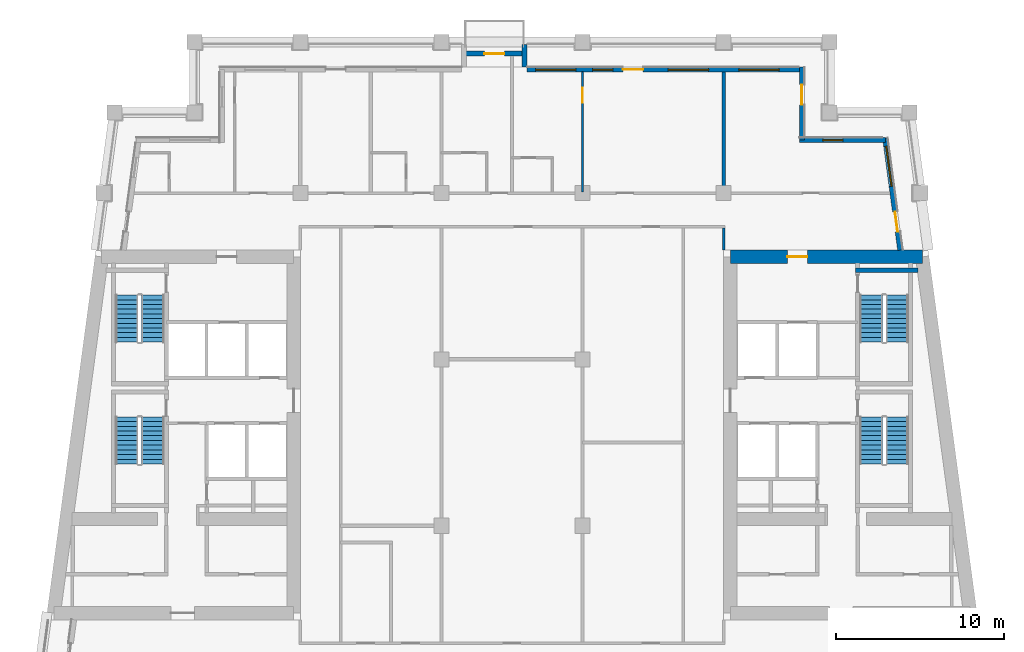
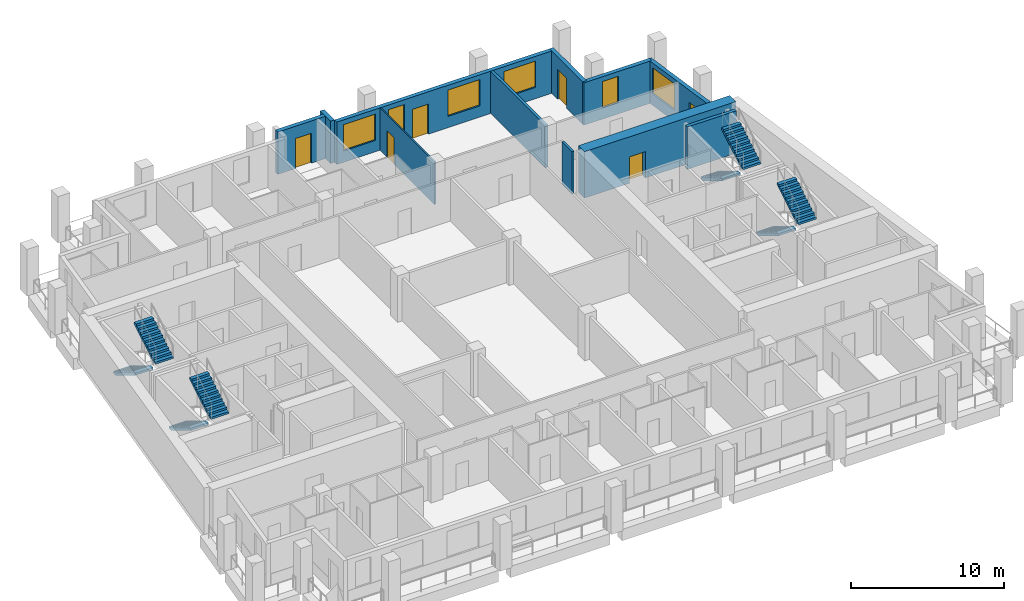
# One storey, part 7 of 12: 11 walls, 8 stair flights, 6 doors, 6 windows, 12 openings, 4 elements without a shape of their own.
"""IFC4 building model written with IfcOpenShell, lengths in metres."""

from ifc_helpers import new_model, si_unit, direction, frame, frame_2d, origin, place, context, subcontext, project, spatial, polyline, rectangle, outline, extrude, material, layer, layer_set, type_object, element, fill, aggregate, save


model = new_model("IFC4")

# Units and contexts
model_context = context("Model", 3, precision=1e-05, world=origin(), true_north=direction((0.0, 1.0)))
body_context = subcontext(model_context, "Body", "Model", "MODEL_VIEW")
ifc_project = project(units=[si_unit("LENGTHUNIT", "METRE"), si_unit("AREAUNIT", "SQUARE_METRE"), si_unit("VOLUMEUNIT", "CUBIC_METRE"), si_unit("PLANEANGLEUNIT", "RADIAN"), si_unit("MASSUNIT", "GRAM", prefix="KILO")], contexts=[model_context])

# Site, building, storey
site_placement = place(None, origin())
site = spatial("IfcSite", under=ifc_project, at=site_placement, CompositionType="ELEMENT")
building_placement = place(site_placement, origin())
building = spatial("IfcBuilding", under=site, at=building_placement, Name="Candeia Pilgrim Tower and Theatre", CompositionType="ELEMENT")
storey_placement = place(building_placement, frame((0.0, 0.0, 217.0)))
storey = spatial("IfcBuildingStorey", under=building, at=storey_placement, Name="L52", CompositionType="ELEMENT", Elevation=217.0)

# Wall, opening, door
ifc_material_1 = material(Name="Concrete C50/60", Category="concrete")
ifc_layer_1 = layer(ifc_material_1, 0.800048828125)
ifc_layer_set_1 = layer_set([ifc_layer_1], Name="Core wall 800 C50/60")
wall_type_1 = type_object("IfcWallType", Name="Core wall 800 C50/60", PredefinedType="SHEAR", material=ifc_layer_set_1)
wall_1_placement = place(storey_placement, frame((126.39990234375, 132.0, 0.0), z_axis=(0.0, 0.0, 1.0), x_axis=(1.0, 0.0, 0.0)))
wall_1 = element("IfcWall", 1, at=wall_1_placement, inside=storey, type_object=wall_type_1, Name="Core wall E1", PredefinedType="SHEAR", context=body_context, shape_type="SweptSolid", body=[
    extrude(rectangle(XDim=11.419677734375, YDim=0.800048828125, at=frame_2d((5.7099609375, 0.0))), origin(), (0.0, 0.0, 1.0), 3.699951171875),
])
opening_1_placement = place(wall_1_placement, frame((3.386474609375, 0.0, 0.0)))
opening_1 = element("IfcOpeningElement", 2, at=opening_1_placement, cuts=wall_1, Name="Opening L52-D057", PredefinedType="OPENING", context=body_context, shape_type="SweptSolid", body=[
    extrude(rectangle(XDim=1.199951171875, YDim=2.10009765625, at=frame_2d((0.60009765625, 1.050048828125))), frame((0.0, 0.41015625, 0.0), z_axis=(0.0, -1.0, 0.0), x_axis=(1.0, 0.0, 0.0)), (0.0, 0.0, 1.0), 0.820068359375),
])
ifc_material_2 = material(Name="Steel fire door set", Category="steel")
door_type_1 = type_object("IfcDoorType", Name="D-1200-FD60", OperationType="NOTDEFINED", PredefinedType="DOOR", material=ifc_material_2)
door_1_placement = place(opening_1_placement, origin())
door_1 = element("IfcDoor", 3, at=door_1_placement, inside=storey, type_object=door_type_1, Name="Door L52-D057", OperationType="SINGLE_SWING_LEFT", OverallHeight=2.10009765625, OverallWidth=1.199951171875, PredefinedType="DOOR", context=body_context, shape_type="SweptSolid", body=[
    extrude(rectangle(XDim=1.199951171875, YDim=2.10009765625, at=frame_2d((0.60009765625, 1.050048828125))), frame((0.0, 0.02490234375, 0.0), z_axis=(0.0, -1.0, 0.0), x_axis=(1.0, 0.0, 0.0)), (0.0, 0.0, 1.0), 0.050048828125),
])
fill(opening_1, door_1)

# Wall, openings, door, window
ifc_material_3 = material(Name="Ceramic block masonry", Category="masonry")
ifc_layer_2 = layer(ifc_material_3, 0.300048828125)
ifc_layer_set_2 = layer_set([ifc_layer_2], Name="EW1 glazing-line wall 300")
wall_type_2 = type_object("IfcWallType", Name="EW1 glazing-line wall 300", PredefinedType="SOLIDWALL", material=ifc_layer_set_2)
wall_2_placement = place(storey_placement, frame((136.50439453125, 132.39990234375, 0.0), z_axis=(0.0, 0.0, 1.0), x_axis=(-0.133399697462, 0.99106231929, 0.0)))
wall_2 = element("IfcWall", 4, at=wall_2_placement, inside=storey, type_object=wall_type_2, Name="External wall L52-3.1", PredefinedType="SOLIDWALL", context=body_context, shape_type="SweptSolid", body=[
    extrude(rectangle(XDim=6.740478515625, YDim=0.300048828125, at=frame_2d((3.3701171875, 0.0))), origin(), (0.0, 0.0, 1.0), 3.3798828125),
])
opening_2_placement = place(wall_2_placement, frame((1.115234375, 0.0, 0.0)))
opening_2 = element("IfcOpeningElement", 5, at=opening_2_placement, cuts=wall_2, Name="Opening L52-ED496", PredefinedType="OPENING", context=body_context, shape_type="SweptSolid", body=[
    extrude(rectangle(XDim=1.199951171875, YDim=2.39990234375, at=frame_2d((0.60009765625, 1.199951171875))), frame((0.0, 0.16015625, 0.0), z_axis=(0.0, -1.0, 0.0), x_axis=(1.0, 0.0, 0.0)), (0.0, 0.0, 1.0), 0.320068359375),
])
opening_3_placement = place(wall_2_placement, frame((3.83544921875, 0.0, 0.89990234375)))
opening_3 = element("IfcOpeningElement", 6, at=opening_3_placement, cuts=wall_2, Name="Opening W-A", PredefinedType="OPENING", context=body_context, shape_type="SweptSolid", body=[
    extrude(rectangle(XDim=2.39990234375, YDim=2.10009765625, at=frame_2d((1.199951171875, 1.050048828125))), frame((0.0, 0.16015625, 0.0), z_axis=(0.0, -1.0, 0.0), x_axis=(1.0, 0.0, 0.0)), (0.0, 0.0, 1.0), 0.320068359375),
])
ifc_material_4 = material(Name="Aluminium framed glazed door", Category="aluminium")
door_type_2 = type_object("IfcDoorType", Name="Loggia door 1200x2400", OperationType="DOUBLE_DOOR_SINGLE_SWING", PredefinedType="DOOR", material=ifc_material_4)
door_2_placement = place(opening_2_placement, origin())
door_2 = element("IfcDoor", 7, at=door_2_placement, inside=storey, type_object=door_type_2, Name="Loggia door L52-ED496", OperationType="DOUBLE_DOOR_SINGLE_SWING", OverallHeight=2.39990234375, OverallWidth=1.199951171875, PredefinedType="DOOR", context=body_context, shape_type="SweptSolid", body=[
    extrude(rectangle(XDim=1.199951171875, YDim=2.39990234375, at=frame_2d((0.60009765625, 1.199951171875))), frame((0.0, 0.02490234375, 0.0), z_axis=(0.0, -1.0, 0.0), x_axis=(1.0, 0.0, 0.0)), (0.0, 0.0, 1.0), 0.050048828125),
])
fill(opening_2, door_2)
ifc_material_5 = material(Name="Aluminium framed double glazing", Category="aluminium")
window_type_1 = type_object("IfcWindowType", Name="W-A window 2400x2100", PartitioningType="DOUBLE_PANEL_VERTICAL", PredefinedType="WINDOW", material=ifc_material_5)
window_1_placement = place(opening_3_placement, origin())
window_1 = element("IfcWindow", 8, at=window_1_placement, inside=storey, type_object=window_type_1, Name="Window W-A L52", OverallHeight=2.10009765625, OverallWidth=2.39990234375, PartitioningType="SINGLE_PANEL", PredefinedType="WINDOW", context=body_context, shape_type="SweptSolid", body=[
    extrude(rectangle(XDim=2.39990234375, YDim=2.10009765625, at=frame_2d((1.199951171875, 1.050048828125))), frame((0.0, 0.030029296875, 0.0), z_axis=(0.0, -1.0, 0.0), x_axis=(1.0, 0.0, 0.0)), (0.0, 0.0, 1.0), 0.06005859375),
])
fill(opening_3, window_1)

# Wall, opening, window
wall_3_placement = place(storey_placement, frame((135.62255859375, 138.949951171875, 0.0), z_axis=(0.0, 0.0, 1.0), x_axis=(-1.0, 0.0, 0.0)))
wall_3 = element("IfcWall", 9, at=wall_3_placement, inside=storey, type_object=wall_type_2, Name="External wall L52-4.0", PredefinedType="SOLIDWALL", context=body_context, shape_type="SweptSolid", body=[
    extrude(rectangle(XDim=5.12255859375, YDim=0.300048828125, at=frame_2d((2.561279296875, 0.0))), origin(), (0.0, 0.0, 1.0), 3.3798828125),
])
opening_4_placement = place(wall_3_placement, frame((2.522705078125, 0.0, 0.89990234375)))
opening_4 = element("IfcOpeningElement", 10, at=opening_4_placement, cuts=wall_3, Name="Opening W-B", PredefinedType="OPENING", context=body_context, shape_type="SweptSolid", body=[
    extrude(rectangle(XDim=1.199951171875, YDim=2.10009765625, at=frame_2d((0.60009765625, 1.050048828125))), frame((0.0, 0.16015625, 0.0), z_axis=(0.0, -1.0, 0.0), x_axis=(1.0, 0.0, 0.0)), (0.0, 0.0, 1.0), 0.320068359375),
])
window_type_2 = type_object("IfcWindowType", Name="W-B window 1200x2100", PartitioningType="SINGLE_PANEL", PredefinedType="WINDOW", material=ifc_material_5)
window_2_placement = place(opening_4_placement, origin())
window_2 = element("IfcWindow", 11, at=window_2_placement, inside=storey, type_object=window_type_2, Name="Window W-B L52", OverallHeight=2.10009765625, OverallWidth=1.199951171875, PartitioningType="SINGLE_PANEL", PredefinedType="WINDOW", context=body_context, shape_type="SweptSolid", body=[
    extrude(rectangle(XDim=1.199951171875, YDim=2.10009765625, at=frame_2d((0.60009765625, 1.050048828125))), frame((0.0, 0.030029296875, 0.0), z_axis=(0.0, -1.0, 0.0), x_axis=(1.0, 0.0, 0.0)), (0.0, 0.0, 1.0), 0.06005859375),
])
fill(opening_4, window_2)

# Wall, opening, door
wall_4_placement = place(storey_placement, frame((130.64990234375, 138.949951171875, 0.0), z_axis=(0.0, 0.0, 1.0), x_axis=(0.0, 1.0, 0.0)))
wall_4 = element("IfcWall", 12, at=wall_4_placement, inside=storey, type_object=wall_type_2, Name="External wall L52-5.0", PredefinedType="SOLIDWALL", context=body_context, shape_type="SweptSolid", body=[
    extrude(rectangle(XDim=4.35009765625, YDim=0.300048828125, at=frame_2d((2.175048828125, 0.0))), origin(), (0.0, 0.0, 1.0), 3.3798828125),
])
opening_5_placement = place(wall_4_placement, frame((2.10009765625, 0.0, 0.0)))
opening_5 = element("IfcOpeningElement", 13, at=opening_5_placement, cuts=wall_4, Name="Opening L52-ED497", PredefinedType="OPENING", context=body_context, shape_type="SweptSolid", body=[
    extrude(rectangle(XDim=1.199951171875, YDim=2.39990234375, at=frame_2d((0.60009765625, 1.199951171875))), frame((0.0, 0.16015625, 0.0), z_axis=(0.0, -1.0, 0.0), x_axis=(1.0, 0.0, 0.0)), (0.0, 0.0, 1.0), 0.320068359375),
])
door_3_placement = place(opening_5_placement, origin())
door_3 = element("IfcDoor", 14, at=door_3_placement, inside=storey, type_object=door_type_2, Name="Loggia door L52-ED497", OperationType="DOUBLE_DOOR_SINGLE_SWING", OverallHeight=2.39990234375, OverallWidth=1.199951171875, PredefinedType="DOOR", context=body_context, shape_type="SweptSolid", body=[
    extrude(rectangle(XDim=1.199951171875, YDim=2.39990234375, at=frame_2d((0.60009765625, 1.199951171875))), frame((0.0, 0.02490234375, 0.0), z_axis=(0.0, -1.0, 0.0), x_axis=(1.0, 0.0, 0.0)), (0.0, 0.0, 1.0), 0.050048828125),
])
fill(opening_5, door_3)

# Wall, openings, door, windows
wall_5_placement = place(storey_placement, frame((130.64990234375, 143.14990234375, 0.0), z_axis=(0.0, 0.0, 1.0), x_axis=(-1.0, 0.0, 0.0)))
wall_5 = element("IfcWall", 15, at=wall_5_placement, inside=storey, type_object=wall_type_2, Name="External wall L52-6.0", PredefinedType="SOLIDWALL", context=body_context, shape_type="SweptSolid", body=[
    extrude(rectangle(XDim=16.349853515625, YDim=0.300048828125, at=frame_2d((8.1748046875, 0.0))), origin(), (0.0, 0.0, 1.0), 3.3798828125),
])
opening_6_placement = place(wall_5_placement, frame((1.35009765625, 0.0, 0.89990234375)))
opening_6 = element("IfcOpeningElement", 16, at=opening_6_placement, cuts=wall_5, Name="Opening W-A", PredefinedType="OPENING", context=body_context, shape_type="SweptSolid", body=[
    extrude(rectangle(XDim=2.39990234375, YDim=2.10009765625, at=frame_2d((1.199951171875, 1.050048828125))), frame((0.0, 0.16015625, 0.0), z_axis=(0.0, -1.0, 0.0), x_axis=(1.0, 0.0, 0.0)), (0.0, 0.0, 1.0), 0.320068359375),
])
opening_7_placement = place(wall_5_placement, frame((5.550048828125, 0.0, 0.89990234375)))
opening_7 = element("IfcOpeningElement", 17, at=opening_7_placement, cuts=wall_5, Name="Opening W-A", PredefinedType="OPENING", context=body_context, shape_type="SweptSolid", body=[
    extrude(rectangle(XDim=2.39990234375, YDim=2.10009765625, at=frame_2d((1.199951171875, 1.050048828125))), frame((0.0, 0.16015625, 0.0), z_axis=(0.0, -1.0, 0.0), x_axis=(1.0, 0.0, 0.0)), (0.0, 0.0, 1.0), 0.320068359375),
])
opening_8_placement = place(wall_5_placement, frame((9.449951171875, 0.0, 0.0)))
opening_8 = element("IfcOpeningElement", 18, at=opening_8_placement, cuts=wall_5, Name="Opening L52-ED498", PredefinedType="OPENING", context=body_context, shape_type="SweptSolid", body=[
    extrude(rectangle(XDim=1.199951171875, YDim=2.39990234375, at=frame_2d((0.60009765625, 1.199951171875))), frame((0.0, 0.16015625, 0.0), z_axis=(0.0, -1.0, 0.0), x_axis=(1.0, 0.0, 0.0)), (0.0, 0.0, 1.0), 0.320068359375),
])
opening_9_placement = place(wall_5_placement, frame((11.25, 0.0, 0.89990234375)))
opening_9 = element("IfcOpeningElement", 19, at=opening_9_placement, cuts=wall_5, Name="Opening W-B", PredefinedType="OPENING", context=body_context, shape_type="SweptSolid", body=[
    extrude(rectangle(XDim=1.199951171875, YDim=2.10009765625, at=frame_2d((0.60009765625, 1.050048828125))), frame((0.0, 0.16015625, 0.0), z_axis=(0.0, -1.0, 0.0), x_axis=(1.0, 0.0, 0.0)), (0.0, 0.0, 1.0), 0.320068359375),
])
opening_10_placement = place(wall_5_placement, frame((13.449951171875, 0.0, 0.89990234375)))
opening_10 = element("IfcOpeningElement", 20, at=opening_10_placement, cuts=wall_5, Name="Opening W-A", PredefinedType="OPENING", context=body_context, shape_type="SweptSolid", body=[
    extrude(rectangle(XDim=2.39990234375, YDim=2.10009765625, at=frame_2d((1.199951171875, 1.050048828125))), frame((0.0, 0.16015625, 0.0), z_axis=(0.0, -1.0, 0.0), x_axis=(1.0, 0.0, 0.0)), (0.0, 0.0, 1.0), 0.320068359375),
])
door_4_placement = place(opening_8_placement, origin())
door_4 = element("IfcDoor", 21, at=door_4_placement, inside=storey, type_object=door_type_2, Name="Loggia door L52-ED498", OperationType="DOUBLE_DOOR_SINGLE_SWING", OverallHeight=2.39990234375, OverallWidth=1.199951171875, PredefinedType="DOOR", context=body_context, shape_type="SweptSolid", body=[
    extrude(rectangle(XDim=1.199951171875, YDim=2.39990234375, at=frame_2d((0.60009765625, 1.199951171875))), frame((0.0, 0.02490234375, 0.0), z_axis=(0.0, -1.0, 0.0), x_axis=(1.0, 0.0, 0.0)), (0.0, 0.0, 1.0), 0.050048828125),
])
fill(opening_8, door_4)
window_3_placement = place(opening_6_placement, origin())
window_3 = element("IfcWindow", 22, at=window_3_placement, inside=storey, type_object=window_type_1, Name="Window W-A L52", OverallHeight=2.10009765625, OverallWidth=2.39990234375, PartitioningType="SINGLE_PANEL", PredefinedType="WINDOW", context=body_context, shape_type="SweptSolid", body=[
    extrude(rectangle(XDim=2.39990234375, YDim=2.10009765625, at=frame_2d((1.199951171875, 1.050048828125))), frame((0.0, 0.030029296875, 0.0), z_axis=(0.0, -1.0, 0.0), x_axis=(1.0, 0.0, 0.0)), (0.0, 0.0, 1.0), 0.06005859375),
])
fill(opening_6, window_3)
window_4_placement = place(opening_7_placement, origin())
window_4 = element("IfcWindow", 23, at=window_4_placement, inside=storey, type_object=window_type_1, Name="Window W-A L52", OverallHeight=2.10009765625, OverallWidth=2.39990234375, PartitioningType="SINGLE_PANEL", PredefinedType="WINDOW", context=body_context, shape_type="SweptSolid", body=[
    extrude(rectangle(XDim=2.39990234375, YDim=2.10009765625, at=frame_2d((1.199951171875, 1.050048828125))), frame((0.0, 0.030029296875, 0.0), z_axis=(0.0, -1.0, 0.0), x_axis=(1.0, 0.0, 0.0)), (0.0, 0.0, 1.0), 0.06005859375),
])
fill(opening_7, window_4)
window_5_placement = place(opening_10_placement, origin())
window_5 = element("IfcWindow", 24, at=window_5_placement, inside=storey, type_object=window_type_1, Name="Window W-A L52", OverallHeight=2.10009765625, OverallWidth=2.39990234375, PartitioningType="SINGLE_PANEL", PredefinedType="WINDOW", context=body_context, shape_type="SweptSolid", body=[
    extrude(rectangle(XDim=2.39990234375, YDim=2.10009765625, at=frame_2d((1.199951171875, 1.050048828125))), frame((0.0, 0.030029296875, 0.0), z_axis=(0.0, -1.0, 0.0), x_axis=(1.0, 0.0, 0.0)), (0.0, 0.0, 1.0), 0.06005859375),
])
fill(opening_10, window_5)
window_6_placement = place(opening_9_placement, origin())
window_6 = element("IfcWindow", 25, at=window_6_placement, inside=storey, type_object=window_type_2, Name="Window W-B L52", OverallHeight=2.10009765625, OverallWidth=1.199951171875, PartitioningType="SINGLE_PANEL", PredefinedType="WINDOW", context=body_context, shape_type="SweptSolid", body=[
    extrude(rectangle(XDim=1.199951171875, YDim=2.10009765625, at=frame_2d((0.60009765625, 1.050048828125))), frame((0.0, 0.030029296875, 0.0), z_axis=(0.0, -1.0, 0.0), x_axis=(1.0, 0.0, 0.0)), (0.0, 0.0, 1.0), 0.06005859375),
])
fill(opening_9, window_6)

# Wall
ifc_layer_3 = layer(ifc_material_3, 0.300048828125)
ifc_layer_set_3 = layer_set([ifc_layer_3], Name="EW2 entrance infill wall 300")
wall_type_3 = type_object("IfcWallType", Name="EW2 entrance infill wall 300", PredefinedType="SOLIDWALL", material=ifc_layer_set_3)
wall_6_placement = place(storey_placement, frame((114.14990234375, 143.300048828125, 0.0), z_axis=(0.0, 0.0, 1.0), x_axis=(0.0, 1.0, 0.0)))
element("IfcWall", 26, at=wall_6_placement, inside=storey, type_object=wall_type_3, Name="Alcove wall L52", PredefinedType="SOLIDWALL", context=body_context, shape_type="SweptSolid", body=[
    extrude(rectangle(XDim=1.349853515625, YDim=0.300048828125, at=frame_2d((0.6748046875, 0.0))), origin(), (0.0, 0.0, 1.0), 3.3798828125),
])

# Wall, opening, door
wall_7_placement = place(storey_placement, frame((114.300048828125, 144.10009765625, 0.0), z_axis=(0.0, 0.0, 1.0), x_axis=(-1.0, 0.0, 0.0)))
wall_7 = element("IfcWall", 27, at=wall_7_placement, inside=storey, type_object=wall_type_3, Name="Alcove wall L52", PredefinedType="SOLIDWALL", context=body_context, shape_type="SweptSolid", body=[
    extrude(rectangle(XDim=3.900146484375, YDim=0.300048828125, at=frame_2d((1.9501953125, 0.0))), origin(), (0.0, 0.0, 1.0), 3.3798828125),
])
opening_11_placement = place(wall_7_placement, frame((1.35009765625, 0.0, 0.0)))
opening_11 = element("IfcOpeningElement", 28, at=opening_11_placement, cuts=wall_7, Name="Opening L52-ED500", PredefinedType="OPENING", context=body_context, shape_type="SweptSolid", body=[
    extrude(rectangle(XDim=1.199951171875, YDim=2.39990234375, at=frame_2d((0.60009765625, 1.199951171875))), frame((0.0, 0.16015625, 0.0), z_axis=(0.0, -1.0, 0.0), x_axis=(1.0, 0.0, 0.0)), (0.0, 0.0, 1.0), 0.320068359375),
])
door_5_placement = place(opening_11_placement, origin())
door_5 = element("IfcDoor", 29, at=door_5_placement, inside=storey, type_object=door_type_2, Name="Balcony door L52-ED500", OperationType="DOUBLE_DOOR_SINGLE_SWING", OverallHeight=2.39990234375, OverallWidth=1.199951171875, PredefinedType="DOOR", context=body_context, shape_type="SweptSolid", body=[
    extrude(rectangle(XDim=1.199951171875, YDim=2.39990234375, at=frame_2d((0.60009765625, 1.199951171875))), frame((0.0, 0.02490234375, 0.0), z_axis=(0.0, -1.0, 0.0), x_axis=(1.0, 0.0, 0.0)), (0.0, 0.0, 1.0), 0.050048828125),
])
fill(opening_11, door_5)

ifc_material_6 = material(Name="Gypsum board partition on steel studs", Category="steel")
ifc_layer_4 = layer(ifc_material_6, 0.10009765625)
ifc_layer_set_4 = layer_set([ifc_layer_4], Name="PW-100 room partition")
wall_type_4 = type_object("IfcWallType", Name="PW-100 room partition", PredefinedType="PARTITIONING", material=ifc_layer_set_4)
wall_8_placement = place(storey_placement, frame((117.60009765625, 135.875, 0.0), z_axis=(0.0, 0.0, 1.0), x_axis=(0.0, 1.0, 0.0)))
wall_8 = element("IfcWall", 30, at=wall_8_placement, inside=storey, type_object=wall_type_4, Name="Room partition L52-090", PredefinedType="PARTITIONING", context=body_context, shape_type="SweptSolid", body=[
    extrude(rectangle(XDim=7.135009765625, YDim=0.10009765625, at=frame_2d((3.5673828125, 0.0))), origin(), (0.0, 0.0, 1.0), 3.3798828125),
])
opening_12_placement = place(wall_8_placement, frame((5.2900390625, 0.0, 0.0)))
opening_12 = element("IfcOpeningElement", 31, at=opening_12_placement, cuts=wall_8, Name="Opening L52-D043", PredefinedType="OPENING", context=body_context, shape_type="SweptSolid", body=[
    extrude(rectangle(XDim=0.89990234375, YDim=2.10009765625, at=frame_2d((0.449951171875, 1.050048828125))), frame((0.0, 0.06005859375, 0.0), z_axis=(0.0, -1.0, 0.0), x_axis=(1.0, 0.0, 0.0)), (0.0, 0.0, 1.0), 0.1201171875),
])
ifc_material_7 = material(Name="Timber door leaf", Category="wood")
door_type_3 = type_object("IfcDoorType", Name="D-900", OperationType="NOTDEFINED", PredefinedType="DOOR", material=ifc_material_7)
door_6_placement = place(opening_12_placement, origin())
door_6 = element("IfcDoor", 32, at=door_6_placement, inside=storey, type_object=door_type_3, Name="Door L52-D043", OperationType="SINGLE_SWING_LEFT", OverallHeight=2.10009765625, OverallWidth=0.89990234375, PredefinedType="DOOR", context=body_context, shape_type="SweptSolid", body=[
    extrude(rectangle(XDim=0.89990234375, YDim=2.10009765625, at=frame_2d((0.449951171875, 1.050048828125))), frame((0.0, 0.02490234375, 0.0), z_axis=(0.0, -1.0, 0.0), x_axis=(1.0, 0.0, 0.0)), (0.0, 0.0, 1.0), 0.050048828125),
])
fill(opening_12, door_6)

# Walls
ifc_layer_5 = layer(ifc_material_6, 0.14990234375)
ifc_layer_set_5 = layer_set([ifc_layer_5], Name="PW-150 unit wall")
wall_type_5 = type_object("IfcWallType", Name="PW-150 unit wall", PredefinedType="PARTITIONING", material=ifc_layer_set_5)
wall_9_placement = place(storey_placement, frame((126.0, 132.39990234375, 0.0), z_axis=(0.0, 0.0, 1.0), x_axis=(0.0, 1.0, 0.0)))
element("IfcWall", 33, at=wall_9_placement, inside=storey, type_object=wall_type_5, Name="Unit wall L52-100", PredefinedType="PARTITIONING", context=body_context, shape_type="SweptSolid", body=[
    extrude(rectangle(XDim=1.3251953125, YDim=0.14990234375, at=frame_2d((0.66259765625, 0.0))), origin(), (0.0, 0.0, 1.0), 3.3798828125),
])
ifc_layer_6 = layer(ifc_material_6, 0.199951171875)
ifc_layer_set_6 = layer_set([ifc_layer_6], Name="PW-200 party wall")
wall_type_6 = type_object("IfcWallType", Name="PW-200 party wall", PredefinedType="PARTITIONING", material=ifc_layer_set_6)
wall_10_placement = place(storey_placement, frame((126.0, 135.875, 0.0), z_axis=(0.0, 0.0, 1.0), x_axis=(0.0, 1.0, 0.0)))
element("IfcWall", 34, at=wall_10_placement, inside=storey, type_object=wall_type_6, Name="Party wall L52-098", PredefinedType="PARTITIONING", context=body_context, shape_type="SweptSolid", body=[
    extrude(rectangle(XDim=7.135009765625, YDim=0.199951171875, at=frame_2d((3.5673828125, 0.0))), origin(), (0.0, 0.0, 1.0), 3.3798828125),
])
ifc_material_8 = material(Name="Concrete C40/50", Category="concrete")
ifc_layer_7 = layer(ifc_material_8, 0.25)
ifc_layer_set_7 = layer_set([ifc_layer_7], Name="SW-250 stair wall")
wall_type_7 = type_object("IfcWallType", Name="SW-250 stair wall", PredefinedType="PARTITIONING", material=ifc_layer_set_7)
wall_11_placement = place(storey_placement, frame((133.847900390625, 131.199951171875, 0.0), z_axis=(0.0, 0.0, 1.0), x_axis=(1.0, 0.0, 0.0)))
element("IfcWall", 35, at=wall_11_placement, inside=storey, type_object=wall_type_7, Name="Stair wall L52-042", PredefinedType="PARTITIONING", context=body_context, shape_type="SweptSolid", body=[
    extrude(rectangle(XDim=3.705810546875, YDim=0.25, at=frame_2d((1.85302734375, 0.0))), origin(), (0.0, 0.0, 1.0), 3.3798828125),
])

# Stair, stair flights
stair_type = type_object("IfcStairType", Name="ST-TWR dog-leg escape stair", PredefinedType="HALF_TURN_STAIR", material=ifc_material_8)
stair_1_placement = place(storey_placement, origin())
stair_1 = element("IfcStair", 36, at=stair_1_placement, inside=storey, type_object=stair_type, Name="L52 Escape stair ST1", PredefinedType="HALF_TURN_STAIR")
stair_flight_type = type_object("IfcStairFlightType", Name="SFL-RC stair flight", PredefinedType="STRAIGHT", material=ifc_material_8)
stair_flight_1_placement = place(storey_placement, frame((90.47705078125, 122.47509765625, 0.0), z_axis=(0.0, 0.0, 1.0), x_axis=(0.0, -1.0, 0.0)))
stair_flight_1 = element("IfcStairFlight", 37, at=stair_flight_1_placement, type_object=stair_flight_type, Name="ST1 flight 1", NumberOfRisers=11, NumberOfTreads=10, PredefinedType="STRAIGHT", RiserHeight=0.168181818, TreadLength=0.28, context=body_context, shape_type="SweptSolid", body=[
    extrude(outline(polyline([(0.0, 0.0), (0.0, 0.168212890625), (0.280029296875, 0.168212890625), (0.280029296875, 0.33642578125), (0.56005859375, 0.33642578125), (0.56005859375, 0.504638671875), (0.840087890625, 0.504638671875), (0.840087890625, 0.672607421875), (1.1201171875, 0.672607421875), (1.1201171875, 0.8408203125), (1.39990234375, 0.8408203125), (1.39990234375, 1.009033203125), (1.679931640625, 1.009033203125), (1.679931640625, 1.17724609375), (1.9599609375, 1.17724609375), (1.9599609375, 1.345458984375), (2.239990234375, 1.345458984375), (2.239990234375, 1.513671875), (2.52001953125, 1.513671875), (2.52001953125, 1.681884765625), (2.800048828125, 1.681884765625), (2.800048828125, 1.85009765625), (2.800048828125, 1.5068359375), (0.291015625, 0.0), (0.0, 0.0)])), frame((0.0, 0.675048828125, 0.0), z_axis=(0.0, -1.0, 0.0), x_axis=(1.0, 0.0, 0.0)), (0.0, 0.0, 1.0), 1.35009765625),
])
stair_flight_2_placement = place(storey_placement, frame((92.027099609375, 119.675048828125, 1.85009765625), z_axis=(0.0, 0.0, 1.0), x_axis=(0.0, 1.0, 0.0)))
stair_flight_2 = element("IfcStairFlight", 38, at=stair_flight_2_placement, type_object=stair_flight_type, Name="ST1 flight 2", NumberOfRisers=11, NumberOfTreads=10, PredefinedType="STRAIGHT", RiserHeight=0.168181818, TreadLength=0.28, context=body_context, shape_type="SweptSolid", body=[
    extrude(outline(polyline([(0.0, 0.0), (0.0, 0.168212890625), (0.280029296875, 0.168212890625), (0.280029296875, 0.33642578125), (0.56005859375, 0.33642578125), (0.56005859375, 0.504638671875), (0.840087890625, 0.504638671875), (0.840087890625, 0.672607421875), (1.1201171875, 0.672607421875), (1.1201171875, 0.8408203125), (1.39990234375, 0.8408203125), (1.39990234375, 1.009033203125), (1.679931640625, 1.009033203125), (1.679931640625, 1.17724609375), (1.9599609375, 1.17724609375), (1.9599609375, 1.345458984375), (2.239990234375, 1.345458984375), (2.239990234375, 1.513671875), (2.52001953125, 1.513671875), (2.52001953125, 1.681884765625), (2.800048828125, 1.681884765625), (2.800048828125, 1.85009765625), (2.800048828125, 1.5068359375), (0.291015625, 0.0), (0.0, 0.0)])), frame((0.0, 0.675048828125, 0.0), z_axis=(0.0, -1.0, 0.0), x_axis=(1.0, 0.0, 0.0)), (0.0, 0.0, 1.0), 1.35009765625),
])
aggregate(stair_1, [stair_flight_1, stair_flight_2])

stair_2_placement = place(storey_placement, origin())
stair_2 = element("IfcStair", 39, at=stair_2_placement, inside=storey, type_object=stair_type, Name="L52 Escape stair ST2", PredefinedType="HALF_TURN_STAIR")
stair_flight_3_placement = place(storey_placement, frame((90.47705078125, 129.72509765625, 0.0), z_axis=(0.0, 0.0, 1.0), x_axis=(0.0, -1.0, 0.0)))
stair_flight_3 = element("IfcStairFlight", 40, at=stair_flight_3_placement, type_object=stair_flight_type, Name="ST2 flight 1", NumberOfRisers=11, NumberOfTreads=10, PredefinedType="STRAIGHT", RiserHeight=0.168181818, TreadLength=0.28, context=body_context, shape_type="SweptSolid", body=[
    extrude(outline(polyline([(0.0, 0.0), (0.0, 0.168212890625), (0.280029296875, 0.168212890625), (0.280029296875, 0.33642578125), (0.56005859375, 0.33642578125), (0.56005859375, 0.504638671875), (0.840087890625, 0.504638671875), (0.840087890625, 0.672607421875), (1.1201171875, 0.672607421875), (1.1201171875, 0.8408203125), (1.39990234375, 0.8408203125), (1.39990234375, 1.009033203125), (1.679931640625, 1.009033203125), (1.679931640625, 1.17724609375), (1.9599609375, 1.17724609375), (1.9599609375, 1.345458984375), (2.239990234375, 1.345458984375), (2.239990234375, 1.513671875), (2.52001953125, 1.513671875), (2.52001953125, 1.681884765625), (2.800048828125, 1.681884765625), (2.800048828125, 1.85009765625), (2.800048828125, 1.5068359375), (0.291015625, 0.0), (0.0, 0.0)])), frame((0.0, 0.675048828125, 0.0), z_axis=(0.0, -1.0, 0.0), x_axis=(1.0, 0.0, 0.0)), (0.0, 0.0, 1.0), 1.35009765625),
])
stair_flight_4_placement = place(storey_placement, frame((92.027099609375, 126.925048828125, 1.85009765625), z_axis=(0.0, 0.0, 1.0), x_axis=(0.0, 1.0, 0.0)))
stair_flight_4 = element("IfcStairFlight", 41, at=stair_flight_4_placement, type_object=stair_flight_type, Name="ST2 flight 2", NumberOfRisers=11, NumberOfTreads=10, PredefinedType="STRAIGHT", RiserHeight=0.168181818, TreadLength=0.28, context=body_context, shape_type="SweptSolid", body=[
    extrude(outline(polyline([(0.0, 0.0), (0.0, 0.168212890625), (0.280029296875, 0.168212890625), (0.280029296875, 0.33642578125), (0.56005859375, 0.33642578125), (0.56005859375, 0.504638671875), (0.840087890625, 0.504638671875), (0.840087890625, 0.672607421875), (1.1201171875, 0.672607421875), (1.1201171875, 0.8408203125), (1.39990234375, 0.8408203125), (1.39990234375, 1.009033203125), (1.679931640625, 1.009033203125), (1.679931640625, 1.17724609375), (1.9599609375, 1.17724609375), (1.9599609375, 1.345458984375), (2.239990234375, 1.345458984375), (2.239990234375, 1.513671875), (2.52001953125, 1.513671875), (2.52001953125, 1.681884765625), (2.800048828125, 1.681884765625), (2.800048828125, 1.85009765625), (2.800048828125, 1.5068359375), (0.291015625, 0.0), (0.0, 0.0)])), frame((0.0, 0.675048828125, 0.0), z_axis=(0.0, -1.0, 0.0), x_axis=(1.0, 0.0, 0.0)), (0.0, 0.0, 1.0), 1.35009765625),
])
aggregate(stair_2, [stair_flight_3, stair_flight_4])

stair_3_placement = place(storey_placement, origin())
stair_3 = element("IfcStair", 42, at=stair_3_placement, inside=storey, type_object=stair_type, Name="L52 Escape stair ST3", PredefinedType="HALF_TURN_STAIR")
stair_flight_5_placement = place(storey_placement, frame((134.77294921875, 122.47509765625, 0.0), z_axis=(0.0, 0.0, 1.0), x_axis=(0.0, -1.0, 0.0)))
stair_flight_5 = element("IfcStairFlight", 43, at=stair_flight_5_placement, type_object=stair_flight_type, Name="ST3 flight 1", NumberOfRisers=11, NumberOfTreads=10, PredefinedType="STRAIGHT", RiserHeight=0.168181818, TreadLength=0.28, context=body_context, shape_type="SweptSolid", body=[
    extrude(outline(polyline([(0.0, 0.0), (0.0, 0.168212890625), (0.280029296875, 0.168212890625), (0.280029296875, 0.33642578125), (0.56005859375, 0.33642578125), (0.56005859375, 0.504638671875), (0.840087890625, 0.504638671875), (0.840087890625, 0.672607421875), (1.1201171875, 0.672607421875), (1.1201171875, 0.8408203125), (1.39990234375, 0.8408203125), (1.39990234375, 1.009033203125), (1.679931640625, 1.009033203125), (1.679931640625, 1.17724609375), (1.9599609375, 1.17724609375), (1.9599609375, 1.345458984375), (2.239990234375, 1.345458984375), (2.239990234375, 1.513671875), (2.52001953125, 1.513671875), (2.52001953125, 1.681884765625), (2.800048828125, 1.681884765625), (2.800048828125, 1.85009765625), (2.800048828125, 1.5068359375), (0.291015625, 0.0), (0.0, 0.0)])), frame((0.0, 0.675048828125, 0.0), z_axis=(0.0, -1.0, 0.0), x_axis=(1.0, 0.0, 0.0)), (0.0, 0.0, 1.0), 1.35009765625),
])
stair_flight_6_placement = place(storey_placement, frame((136.322998046875, 119.675048828125, 1.85009765625), z_axis=(0.0, 0.0, 1.0), x_axis=(0.0, 1.0, 0.0)))
stair_flight_6 = element("IfcStairFlight", 44, at=stair_flight_6_placement, type_object=stair_flight_type, Name="ST3 flight 2", NumberOfRisers=11, NumberOfTreads=10, PredefinedType="STRAIGHT", RiserHeight=0.168181818, TreadLength=0.28, context=body_context, shape_type="SweptSolid", body=[
    extrude(outline(polyline([(0.0, 0.0), (0.0, 0.168212890625), (0.280029296875, 0.168212890625), (0.280029296875, 0.33642578125), (0.56005859375, 0.33642578125), (0.56005859375, 0.504638671875), (0.840087890625, 0.504638671875), (0.840087890625, 0.672607421875), (1.1201171875, 0.672607421875), (1.1201171875, 0.8408203125), (1.39990234375, 0.8408203125), (1.39990234375, 1.009033203125), (1.679931640625, 1.009033203125), (1.679931640625, 1.17724609375), (1.9599609375, 1.17724609375), (1.9599609375, 1.345458984375), (2.239990234375, 1.345458984375), (2.239990234375, 1.513671875), (2.52001953125, 1.513671875), (2.52001953125, 1.681884765625), (2.800048828125, 1.681884765625), (2.800048828125, 1.85009765625), (2.800048828125, 1.5068359375), (0.291015625, 0.0), (0.0, 0.0)])), frame((0.0, 0.675048828125, 0.0), z_axis=(0.0, -1.0, 0.0), x_axis=(1.0, 0.0, 0.0)), (0.0, 0.0, 1.0), 1.35009765625),
])
aggregate(stair_3, [stair_flight_5, stair_flight_6])

stair_4_placement = place(storey_placement, origin())
stair_4 = element("IfcStair", 45, at=stair_4_placement, inside=storey, type_object=stair_type, Name="L52 Escape stair ST4", PredefinedType="HALF_TURN_STAIR")
stair_flight_7_placement = place(storey_placement, frame((134.77294921875, 129.72509765625, 0.0), z_axis=(0.0, 0.0, 1.0), x_axis=(0.0, -1.0, 0.0)))
stair_flight_7 = element("IfcStairFlight", 46, at=stair_flight_7_placement, type_object=stair_flight_type, Name="ST4 flight 1", NumberOfRisers=11, NumberOfTreads=10, PredefinedType="STRAIGHT", RiserHeight=0.168181818, TreadLength=0.28, context=body_context, shape_type="SweptSolid", body=[
    extrude(outline(polyline([(0.0, 0.0), (0.0, 0.168212890625), (0.280029296875, 0.168212890625), (0.280029296875, 0.33642578125), (0.56005859375, 0.33642578125), (0.56005859375, 0.504638671875), (0.840087890625, 0.504638671875), (0.840087890625, 0.672607421875), (1.1201171875, 0.672607421875), (1.1201171875, 0.8408203125), (1.39990234375, 0.8408203125), (1.39990234375, 1.009033203125), (1.679931640625, 1.009033203125), (1.679931640625, 1.17724609375), (1.9599609375, 1.17724609375), (1.9599609375, 1.345458984375), (2.239990234375, 1.345458984375), (2.239990234375, 1.513671875), (2.52001953125, 1.513671875), (2.52001953125, 1.681884765625), (2.800048828125, 1.681884765625), (2.800048828125, 1.85009765625), (2.800048828125, 1.5068359375), (0.291015625, 0.0), (0.0, 0.0)])), frame((0.0, 0.675048828125, 0.0), z_axis=(0.0, -1.0, 0.0), x_axis=(1.0, 0.0, 0.0)), (0.0, 0.0, 1.0), 1.35009765625),
])
stair_flight_8_placement = place(storey_placement, frame((136.322998046875, 126.925048828125, 1.85009765625), z_axis=(0.0, 0.0, 1.0), x_axis=(0.0, 1.0, 0.0)))
stair_flight_8 = element("IfcStairFlight", 47, at=stair_flight_8_placement, type_object=stair_flight_type, Name="ST4 flight 2", NumberOfRisers=11, NumberOfTreads=10, PredefinedType="STRAIGHT", RiserHeight=0.168181818, TreadLength=0.28, context=body_context, shape_type="SweptSolid", body=[
    extrude(outline(polyline([(0.0, 0.0), (0.0, 0.168212890625), (0.280029296875, 0.168212890625), (0.280029296875, 0.33642578125), (0.56005859375, 0.33642578125), (0.56005859375, 0.504638671875), (0.840087890625, 0.504638671875), (0.840087890625, 0.672607421875), (1.1201171875, 0.672607421875), (1.1201171875, 0.8408203125), (1.39990234375, 0.8408203125), (1.39990234375, 1.009033203125), (1.679931640625, 1.009033203125), (1.679931640625, 1.17724609375), (1.9599609375, 1.17724609375), (1.9599609375, 1.345458984375), (2.239990234375, 1.345458984375), (2.239990234375, 1.513671875), (2.52001953125, 1.513671875), (2.52001953125, 1.681884765625), (2.800048828125, 1.681884765625), (2.800048828125, 1.85009765625), (2.800048828125, 1.5068359375), (0.291015625, 0.0), (0.0, 0.0)])), frame((0.0, 0.675048828125, 0.0), z_axis=(0.0, -1.0, 0.0), x_axis=(1.0, 0.0, 0.0)), (0.0, 0.0, 1.0), 1.35009765625),
])
aggregate(stair_4, [stair_flight_7, stair_flight_8])

save(model, "model.ifc")
